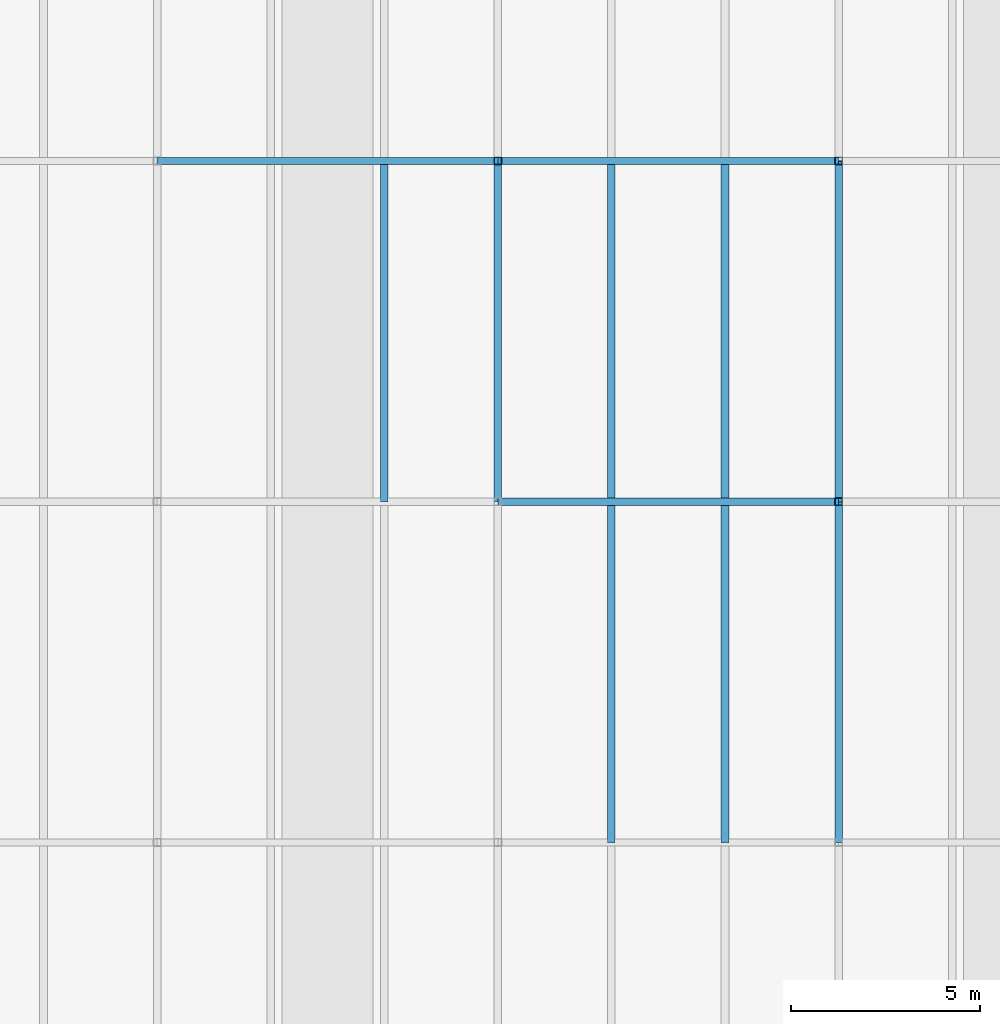
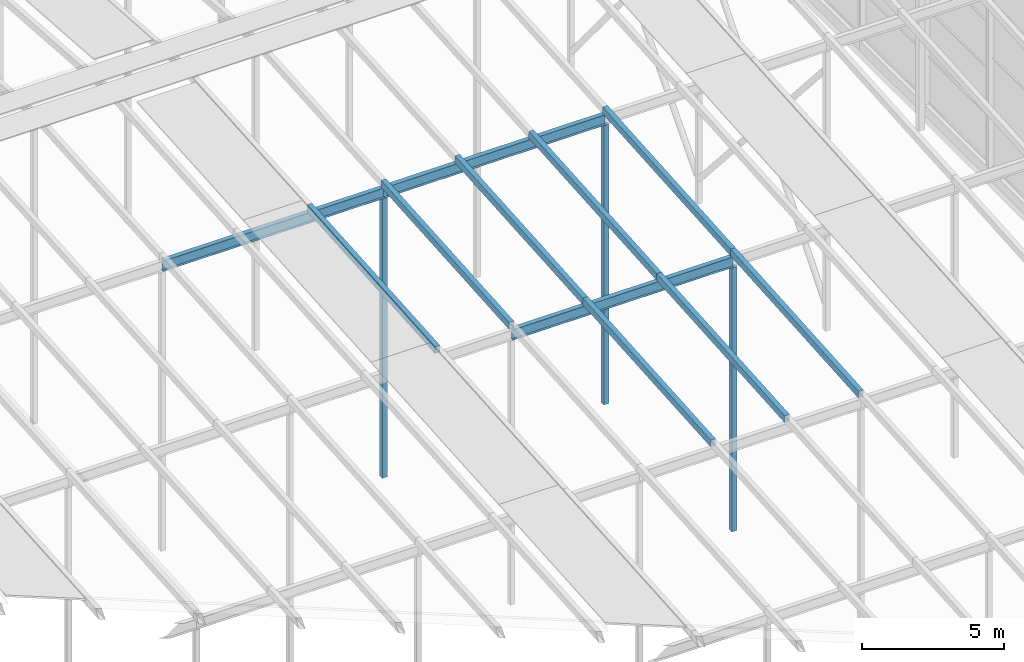
# One storey, part 24 of 84: 11 members, 3 beams.
"""IFC4 building model written with IfcOpenShell, lengths in metres."""

import ifcopenshell
import ifcopenshell.guid

model = None  # the IFC model being written
_history = None  # IfcOwnerHistory: only IFC2X3 demands one
_inside = {}  # id of a spatial element -> (the spatial element, [elements in it])
_under = {}  # id of a project, library or spatial element -> (it, [spatial elements below it])
_declared = {}  # id of a project -> (the project, [libraries it declares])
_typed = {}  # id of a type object -> (the type object, [elements of that type])
_made_of = {}  # id of a material, layer set ... -> (it, [elements and type objects made of it])


def new_model(schema):
    """Start an empty IFC model of exactly this schema.

    Asked for "IFC4X3", IfcOpenShell would pick the latest addendum, in which some entities
    have other attributes; the version numbers below select the first issue.
    IFC2X3 requires an IfcOwnerHistory on every rooted entity: one is made here for all.
    """
    global model, _history
    if schema == "IFC4X3":
        model = ifcopenshell.file(schema_version=(4, 3, 0, 0))
    else:
        model = ifcopenshell.file(schema=schema)
    _inside.clear()
    _under.clear()
    _declared.clear()
    _typed.clear()
    _made_of.clear()
    _history = None
    if model.schema == "IFC2X3":
        org = make("IfcOrganization", Name="unknown")
        user = make(
            "IfcPersonAndOrganization",
            ThePerson=make("IfcPerson", FamilyName="unknown"),
            TheOrganization=org,
        )
        app = make(
            "IfcApplication",
            ApplicationDeveloper=org,
            Version="unknown",
            ApplicationFullName="unknown",
            ApplicationIdentifier="unknown",
        )
        _history = make(
            "IfcOwnerHistory",
            OwningUser=user,
            OwningApplication=app,
            ChangeAction="ADDED",
            CreationDate=0,
        )
    return model


def make(cls, **values):
    """One entity of the class cls with the attributes given. An attribute that is None is left unset."""
    return model.create_entity(
        cls, **{name: value for name, value in values.items() if value is not None}
    )


def rooted(cls, **values):
    """An entity with a GlobalId (a new one), such as an element, a storey or a relation."""
    return make(cls, GlobalId=ifcopenshell.guid.new(), OwnerHistory=_history, **values)


def si_unit(unit_type, name, prefix=None):
    """IfcSIUnit, for example si_unit("LENGTHUNIT", "METRE", prefix="MILLI")."""
    return make("IfcSIUnit", UnitType=unit_type, Prefix=prefix, Name=name)


def assignment(units):
    """IfcUnitAssignment: the units of a project."""
    return None if units is None else make("IfcUnitAssignment", Units=units)


def point(xyz):
    """IfcCartesianPoint."""
    return None if xyz is None else make("IfcCartesianPoint", Coordinates=xyz)


def direction(xyz):
    """IfcDirection."""
    return None if xyz is None else make("IfcDirection", DirectionRatios=xyz)


def frame(location, z_axis=None, x_axis=None):
    """IfcAxis2Placement3D, a coordinate frame: its origin and axes. An axis left out is left unset."""
    return make(
        "IfcAxis2Placement3D",
        Location=point(location),
        Axis=direction(z_axis),
        RefDirection=direction(x_axis),
    )


def frame_2d(location, x_axis=None):
    """IfcAxis2Placement2D, a coordinate frame in the plane: its origin and x axis."""
    return make(
        "IfcAxis2Placement2D", Location=point(location), RefDirection=direction(x_axis)
    )


def origin():
    """The frame at (0, 0, 0) with its axes left unset."""
    return frame((0.0, 0.0, 0.0))


def origin_2d():
    """The frame at (0, 0) in the plane with its x axis left unset."""
    return frame_2d((0.0, 0.0))


def place(relative_to, where):
    """IfcLocalPlacement: puts the frame where relative to a parent placement (None: the world)."""
    return make(
        "IfcLocalPlacement", PlacementRelTo=relative_to, RelativePlacement=where
    )


def context(
    kind, dimensions, precision=None, world=None, true_north=None, identifier=None
):
    """IfcGeometricRepresentationContext, for example the 3D "Model" context."""
    return make(
        "IfcGeometricRepresentationContext",
        ContextIdentifier=identifier,
        ContextType=kind,
        CoordinateSpaceDimension=dimensions,
        Precision=precision,
        WorldCoordinateSystem=world,
        TrueNorth=true_north,
    )


def subcontext(parent, identifier, kind, view, scale=None):
    """IfcGeometricRepresentationSubContext, for example "Body" below "Model"."""
    return make(
        "IfcGeometricRepresentationSubContext",
        ContextIdentifier=identifier,
        ContextType=kind,
        ParentContext=parent,
        TargetScale=scale,
        TargetView=view,
    )


def project(units=None, contexts=None):
    """IfcProject with its units and contexts."""
    return rooted(
        "IfcProject",
        Name="project",
        RepresentationContexts=contexts,
        UnitsInContext=assignment(units),
    )


def spatial(cls, under=None, at=None, **own):
    """A site, building, storey or space (cls), placed at a placement, below another one or the project."""
    s = rooted(cls, ObjectPlacement=at, **own)
    if under is not None:
        _under.setdefault(under.id(), (under, []))[1].append(s)
    return s


def profile(cls, at=None, kind="AREA", **sizes):
    """A parametric profile (cls). Its sizes go by their IFC names, for example OverallWidth=200.0."""
    return make(cls, ProfileType=kind, Position=at, **sizes)


def hollow_rectangle(**sizes):
    """IfcRectangleHollowProfileDef."""
    return profile("IfcRectangleHollowProfileDef", **sizes)


def i_section(**sizes):
    """IfcIShapeProfileDef."""
    return profile("IfcIShapeProfileDef", **sizes)


def extrude(swept, where, along, depth):
    """IfcExtrudedAreaSolid: the profile swept, set in the frame where, extruded along a direction by depth."""
    return make(
        "IfcExtrudedAreaSolid",
        SweptArea=swept,
        Position=where,
        ExtrudedDirection=direction(along),
        Depth=depth,
    )


def shape(context_of_items, identifier, shape_type, items):
    """IfcShapeRepresentation: the items that make up one representation, for example the "Body"."""
    return make(
        "IfcShapeRepresentation",
        ContextOfItems=context_of_items,
        RepresentationIdentifier=identifier,
        RepresentationType=shape_type,
        Items=items,
    )


def material(Name=None, Category=None):
    """IfcMaterial."""
    return make("IfcMaterial", Name=Name, Category=Category)


def material_profile(
    of_material, cross_section, Name=None, Category=None, Priority=None
):
    """IfcMaterialProfile: a cross section and its material."""
    return make(
        "IfcMaterialProfile",
        Name=Name,
        Material=of_material,
        Profile=cross_section,
        Priority=Priority,
        Category=Category,
    )


def profile_set(profiles, Name=None, composite=None):
    """IfcMaterialProfileSet."""
    return make(
        "IfcMaterialProfileSet",
        Name=Name,
        MaterialProfiles=profiles,
        CompositeProfile=composite,
    )


def made_of(thing, what):
    """Note that an element or type object is made of a material, layer set ...; save() writes the relation."""
    if what is not None:
        _made_of.setdefault(what.id(), (what, []))[1].append(thing)
    return thing


def type_object(cls, material=None, **own):
    """A type object (cls), such as IfcWallType, which elements share."""
    return made_of(rooted(cls, **own), material)


def element(
    cls,
    number,
    at=None,
    inside=None,
    cuts=None,
    type_object=None,
    material=None,
    context=None,
    identifier="Body",
    shape_type=None,
    held_by="IfcProductDefinitionShape",
    body=None,
    shapes=None,
    **own,
):
    """One element of the class cls, such as IfcWall. Its Tag is "e" and its number.

    at: its placement. inside: the storey or other place that contains it. cuts: it is an
    opening in that element (IfcRelVoidsElement). A single representation is given by context,
    identifier, shape_type and body (its items); several are given by shapes. held_by: the class
    of the entity that holds the representations. save() writes the other relations.
    """
    e = rooted(cls, Tag="e%d" % number, ObjectPlacement=at, **own)
    if body is not None:
        shapes = [shape(context, identifier, shape_type, body)]
    if shapes is not None:
        e.Representation = make(held_by, Representations=shapes)
    if inside is not None:
        _inside.setdefault(inside.id(), (inside, []))[1].append(e)
    if cuts is not None:
        rooted(
            "IfcRelVoidsElement", RelatingBuildingElement=cuts, RelatedOpeningElement=e
        )
    if type_object is not None:
        _typed.setdefault(type_object.id(), (type_object, []))[1].append(e)
    return made_of(e, material)


def aggregate(whole, parts):
    """IfcRelAggregates: a whole, such as a stair, and the parts it consists of."""
    return rooted("IfcRelAggregates", RelatingObject=whole, RelatedObjects=parts)


def save(model, path):
    """Write the relations noted so far, then the file.

    IfcRelAggregates (storeys below a building ...), IfcRelContainedInSpatialStructure (elements
    in a storey), IfcRelDefinesByType, IfcRelAssociatesMaterial and IfcRelDeclares: one each for
    every whole, place, type object, material and project.
    """
    for whole, parts in _under.values():
        aggregate(whole, parts)
    for where, things in _inside.values():
        rooted(
            "IfcRelContainedInSpatialStructure",
            RelatedElements=things,
            RelatingStructure=where,
        )
    for kind, things in _typed.values():
        rooted("IfcRelDefinesByType", RelatedObjects=things, RelatingType=kind)
    for what, things in _made_of.values():
        rooted("IfcRelAssociatesMaterial", RelatedObjects=things, RelatingMaterial=what)
    for by, libraries in _declared.values():
        rooted("IfcRelDeclares", RelatingContext=by, RelatedDefinitions=libraries)
    model.write(path)


model = new_model("IFC4")

# Units and contexts
model_context = context("Model", 3, precision=1e-05, world=origin(), true_north=direction((0.0, 1.0)))
body_context = subcontext(model_context, "Body", "Model", "MODEL_VIEW")
ifc_project = project(units=[si_unit("LENGTHUNIT", "METRE"), si_unit("AREAUNIT", "SQUARE_METRE"), si_unit("VOLUMEUNIT", "CUBIC_METRE"), si_unit("PLANEANGLEUNIT", "RADIAN"), si_unit("MASSUNIT", "GRAM", prefix="KILO")], contexts=[model_context])

# Site, building, storey
site_placement = place(None, origin())
site = spatial("IfcSite", under=ifc_project, at=site_placement, CompositionType="ELEMENT")
building_placement = place(site_placement, origin())
building = spatial("IfcBuilding", under=site, at=building_placement, Name="Silverbay Arena", CompositionType="ELEMENT")
storey_placement = place(building_placement, frame((0.0, 0.0, 47.10009765625)))
storey = spatial("IfcBuildingStorey", under=building, at=storey_placement, Name="ROOF", CompositionType="ELEMENT", Elevation=47.10009765625)

# Members
ifc_material_1 = material(Name="Steel S355", Category="steel")
ifc_material_profile_1 = material_profile(ifc_material_1, hollow_rectangle(XDim=0.199951171875, YDim=0.300048828125, WallThickness=0.00634765625, at=origin_2d()), Name="RHS 300x200x6.3")
ifc_profile_set_1 = profile_set([ifc_material_profile_1], Name="Steel S355")
member_type_1 = type_object("IfcMemberType", Name="Purlin RHS 300x200x6.3", PredefinedType="PURLIN", material=ifc_profile_set_1)
for number, where, z_axis, x_axis, name in (
    (1, (150.0, 63.0, 11.349609375), (0.0, 0.997402911363, 0.072023832195), (-1.0, 0.0, 0.0), "ROOF PURLIN crown line 24 bay 05"),
    (2, (153.0, 63.0, 11.349609375), (0.0, 0.997402911363, 0.072023832195), (-1.0, 0.0, 0.0), "ROOF PURLIN crown line 25 bay 05"),
    (3, (156.0, 54.0, 10.699462890625), (0.0, 0.997400967367, 0.07205074805), (-1.0, 0.0, 0.0), "ROOF PURLIN crown line 26 bay 04"),
    (4, (156.0, 63.0, 11.349609375), (0.0, 0.997402911363, 0.072023832195), (-1.0, 0.0, 0.0), "ROOF PURLIN crown line 26 bay 05"),
    (5, (159.0, 54.0, 10.699462890625), (0.0, 0.997400967367, 0.07205074805), (-1.0, 0.0, 0.0), "ROOF PURLIN crown line 27 bay 04"),
    (6, (159.0, 63.0, 11.349609375), (0.0, 0.997402911363, 0.072023832195), (-1.0, 0.0, 0.0), "ROOF PURLIN crown line 27 bay 05"),
    (7, (162.0, 54.0, 10.699462890625), (0.0, 0.997400967367, 0.07205074805), (-1.0, 0.0, 0.0), "ROOF PURLIN crown line 28 bay 04"),
    (8, (162.0, 63.0, 11.349609375), (0.0, 0.997402911363, 0.072023832195), (-1.0, 0.0, 0.0), "ROOF PURLIN crown line 28 bay 05"),
):
    element("IfcMember", number, at=place(storey_placement, frame(where, z_axis=z_axis, x_axis=x_axis)), inside=storey, type_object=member_type_1, Name=name, PredefinedType="PURLIN", context=body_context, shape_type="SweptSolid", body=[
        extrude(hollow_rectangle(XDim=0.199951171875, YDim=0.300048828125, WallThickness=0.00634765625, at=origin_2d()), origin(), (0.0, 0.0, 1.0), 9.0234375),
    ])

# Beams
ifc_material_2 = material(Name="Steel S355", Category="steel")
ifc_material_profile_2 = material_profile(ifc_material_2, i_section(OverallWidth=0.18994140625, OverallDepth=0.453369140625, WebThickness=0.008544921875, FlangeThickness=0.0126953125, at=origin_2d()), Name="UB 457x191x67")
ifc_profile_set_2 = profile_set([ifc_material_profile_2], Name="Steel S355")
beam_type = type_object("IfcBeamType", Name="Ring beam UB 457x191x67", PredefinedType="BEAM", material=ifc_profile_set_2)
for number, where, z_axis, x_axis, name in (
    (9, (153.0, 63.0, 10.972412109375), (1.0, 0.0, 0.0), (0.0, 1.0, 0.0), "RING BEAM crown row 05 18-19"),
    (10, (144.0, 72.0, 11.622314453125), (1.0, 0.0, 0.0), (0.0, 1.0, 0.0), "RING BEAM crown row 06 17-18"),
    (11, (153.0, 72.0, 11.622314453125), (1.0, 0.0, 0.0), (0.0, 1.0, 0.0), "RING BEAM crown row 06 18-19"),
):
    element("IfcBeam", number, at=place(storey_placement, frame(where, z_axis=z_axis, x_axis=x_axis)), inside=storey, type_object=beam_type, Name=name, PredefinedType="BEAM", context=body_context, shape_type="SweptSolid", body=[
        extrude(i_section(OverallWidth=0.18994140625, OverallDepth=0.453369140625, WebThickness=0.008544921875, FlangeThickness=0.0126953125, at=origin_2d()), origin(), (0.0, 0.0, 1.0), 9.0),
    ])

# Members
ifc_material_3 = material(Name="Steel S355", Category="steel")
ifc_material_profile_3 = material_profile(ifc_material_3, hollow_rectangle(XDim=0.199951171875, YDim=0.199951171875, WallThickness=0.008056640625, at=origin_2d()), Name="SHS 200x200x8")
ifc_profile_set_3 = profile_set([ifc_material_profile_3], Name="Steel S355")
member_type_2 = type_object("IfcMemberType", Name="Roof post SHS 200x200x8", PredefinedType="POST", material=ifc_profile_set_3)
member_1_placement = place(storey_placement, frame((153.0, 72.0, -0.60009765625), z_axis=(0.0, 0.0, 1.0), x_axis=(1.0, 0.0, 0.0)))
element("IfcMember", 12, at=member_1_placement, inside=storey, type_object=member_type_2, Name="ROOF CROWN POST 18 row 06", PredefinedType="POST", context=body_context, shape_type="SweptSolid", body=[
    extrude(hollow_rectangle(XDim=0.199951171875, YDim=0.199951171875, WallThickness=0.008056640625, at=origin_2d()), origin(), (0.0, 0.0, 1.0), 11.995849609375),
])
member_2_placement = place(storey_placement, frame((162.0, 63.0, -0.60009765625), z_axis=(0.0, 0.0, 1.0), x_axis=(1.0, 0.0, 0.0)))
element("IfcMember", 13, at=member_2_placement, inside=storey, type_object=member_type_2, Name="ROOF CROWN POST 19 row 05", PredefinedType="POST", context=body_context, shape_type="SweptSolid", body=[
    extrude(hollow_rectangle(XDim=0.199951171875, YDim=0.199951171875, WallThickness=0.008056640625, at=origin_2d()), origin(), (0.0, 0.0, 1.0), 11.345703125),
])
member_3_placement = place(storey_placement, frame((162.0, 72.0, -0.60009765625), z_axis=(0.0, 0.0, 1.0), x_axis=(1.0, 0.0, 0.0)))
element("IfcMember", 14, at=member_3_placement, inside=storey, type_object=member_type_2, Name="ROOF CROWN POST 19 row 06", PredefinedType="POST", context=body_context, shape_type="SweptSolid", body=[
    extrude(hollow_rectangle(XDim=0.199951171875, YDim=0.199951171875, WallThickness=0.008056640625, at=origin_2d()), origin(), (0.0, 0.0, 1.0), 11.995849609375),
])

save(model, "model.ifc")
